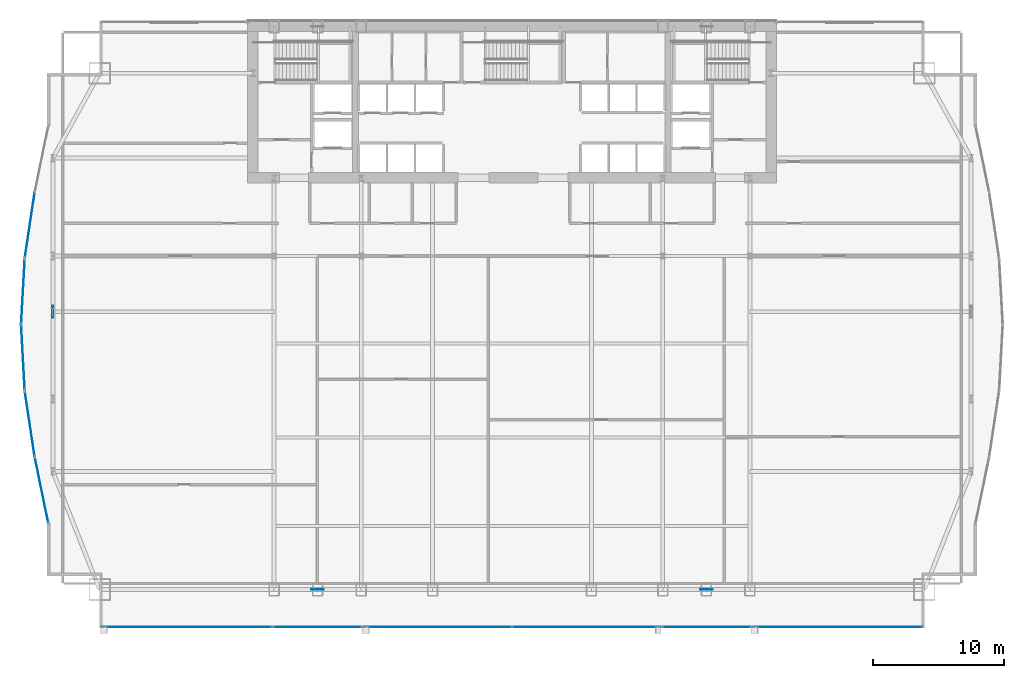
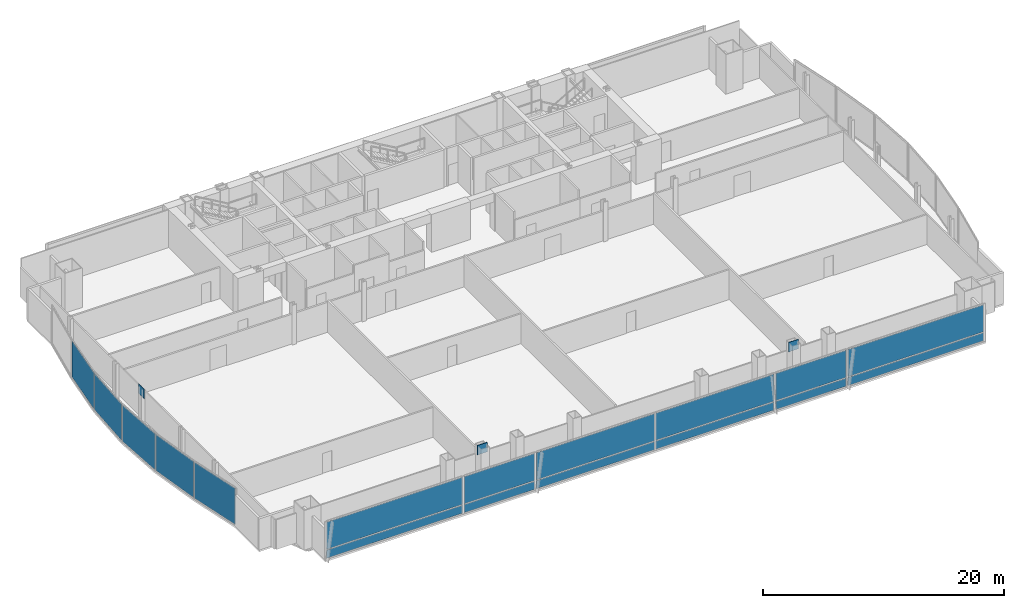
# One storey, part 27 of 36: 20 plates, 10 elements without a shape of their own.
"""IFC4 building model written with IfcOpenShell, lengths in metres."""

from ifc_helpers import new_model, si_unit, direction, frame, origin, origin_2d, place, context, subcontext, project, spatial, rectangle, extrude, material, layer, layer_set, type_object, element, aggregate, save


model = new_model("IFC4")

# Units and contexts
model_context = context("Model", 3, precision=1e-05, world=origin(), true_north=direction((0.0, 1.0)))
body_context = subcontext(model_context, "Body", "Model", "MODEL_VIEW")
ifc_project = project(units=[si_unit("LENGTHUNIT", "METRE"), si_unit("AREAUNIT", "SQUARE_METRE"), si_unit("VOLUMEUNIT", "CUBIC_METRE"), si_unit("PLANEANGLEUNIT", "RADIAN"), si_unit("MASSUNIT", "GRAM", prefix="KILO")], contexts=[model_context])

# Site, building, storey
site_placement = place(None, origin())
site = spatial("IfcSite", under=ifc_project, at=site_placement, CompositionType="ELEMENT")
building_placement = place(site_placement, origin())
building = spatial("IfcBuilding", under=site, at=building_placement, Name="Khoronbel Lancet Exchange", CompositionType="ELEMENT")
storey_placement = place(building_placement, frame((0.0, 0.0, 57.800048828125)))
storey = spatial("IfcBuildingStorey", under=building, at=storey_placement, Name="L13", CompositionType="ELEMENT", Elevation=57.800048828125)

# Curtain wall, plate
ifc_material_1 = material(Name="Low-E Solar Control Insulating Glass", Category="glass")
curtain_wall_type_1 = type_object("IfcCurtainWallType", Name="CW-4", PredefinedType="NOTDEFINED", material=ifc_material_1)
curtain_wall_1_placement = place(storey_placement, origin())
curtain_wall_1 = element("IfcCurtainWall", 1, at=curtain_wall_1_placement, inside=storey, type_object=curtain_wall_type_1, Name="Unitised curtain wall CW-L13-E05", PredefinedType="NOTDEFINED")
ifc_material_2 = material(Name="Bronze-Anodised Aluminium 6063-T6", Category="aluminium")
ifc_layer_1 = layer(ifc_material_2, 0.050048828125, Name="Bronze-Anodised Aluminium 6063-T6")
ifc_layer_set_1 = layer_set([ifc_layer_1], Name="Bronze-Anodised Aluminium 6063-T6")
plate_type_1 = type_object("IfcPlateType", Name="PLT-CSP1", PredefinedType="SHEET", material=ifc_layer_set_1)
plate_1_placement = place(storey_placement, frame((-0.490966796875, 22.83740234375, 0.0849609375), z_axis=(0.0, 0.0, 1.0), x_axis=(-0.149079502463, 0.988825213041, 0.0)))
plate_1 = element("IfcPlate", 2, at=plate_1_placement, type_object=plate_type_1, Name="CW4 panel 1.1", PredefinedType="CURTAIN_PANEL", context=body_context, shape_type="SweptSolid", body=[
    extrude(rectangle(XDim=4.984130859375, YDim=0.0380859375, at=origin_2d()), origin(), (0.0, 0.0, 1.0), 3.64990234375),
])
aggregate(curtain_wall_1, [plate_1])

curtain_wall_2_placement = place(storey_placement, origin())
curtain_wall_2 = element("IfcCurtainWall", 3, at=curtain_wall_2_placement, inside=storey, type_object=curtain_wall_type_1, Name="Unitised curtain wall CW-L13-E06", PredefinedType="NOTDEFINED")
plate_2_placement = place(storey_placement, frame((-1.013671875, 27.912841796875, 0.0849609375), z_axis=(0.0, 0.0, 1.0), x_axis=(-0.055098374212, 0.998480930794, 0.0)))
plate_2 = element("IfcPlate", 4, at=plate_2_placement, type_object=plate_type_1, Name="CW4 panel 1.1", PredefinedType="CURTAIN_PANEL", context=body_context, shape_type="SweptSolid", body=[
    extrude(rectangle(XDim=4.931884765625, YDim=0.0380859375, at=origin_2d()), origin(), (0.0, 0.0, 1.0), 3.64990234375),
])
aggregate(curtain_wall_2, [plate_2])

curtain_wall_3_placement = place(storey_placement, origin())
curtain_wall_3 = element("IfcCurtainWall", 5, at=curtain_wall_3_placement, inside=storey, type_object=curtain_wall_type_1, Name="Unitised curtain wall CW-L13-E07", PredefinedType="NOTDEFINED")
plate_3_placement = place(storey_placement, frame((-1.013671875, 32.987060546875, 0.0849609375), z_axis=(0.0, 0.0, 1.0), x_axis=(0.055098374212, 0.998480930794, 0.0)))
plate_3 = element("IfcPlate", 6, at=plate_3_placement, type_object=plate_type_1, Name="CW4 panel 1.1", PredefinedType="CURTAIN_PANEL", context=body_context, shape_type="SweptSolid", body=[
    extrude(rectangle(XDim=4.931884765625, YDim=0.0380859375, at=origin_2d()), origin(), (0.0, 0.0, 1.0), 3.64990234375),
])
aggregate(curtain_wall_3, [plate_3])

curtain_wall_4_placement = place(storey_placement, origin())
curtain_wall_4 = element("IfcCurtainWall", 7, at=curtain_wall_4_placement, inside=storey, type_object=curtain_wall_type_1, Name="Unitised curtain wall CW-L13-E08", PredefinedType="NOTDEFINED")
plate_4_placement = place(storey_placement, frame((-0.490966796875, 38.0625, 0.0849609375), z_axis=(0.0, 0.0, 1.0), x_axis=(0.149079502463, 0.988825213041, 0.0)))
plate_4 = element("IfcPlate", 8, at=plate_4_placement, type_object=plate_type_1, Name="CW4 panel 1.1", PredefinedType="CURTAIN_PANEL", context=body_context, shape_type="SweptSolid", body=[
    extrude(rectangle(XDim=4.984130859375, YDim=0.0380859375, at=origin_2d()), origin(), (0.0, 0.0, 1.0), 3.64990234375),
])
aggregate(curtain_wall_4, [plate_4])

# Curtain wall, plates
curtain_wall_type_2 = type_object("IfcCurtainWallType", Name="CW-1", PredefinedType="NOTDEFINED", material=ifc_material_1)
curtain_wall_5_placement = place(storey_placement, origin())
curtain_wall_5 = element("IfcCurtainWall", 9, at=curtain_wall_5_placement, inside=storey, type_object=curtain_wall_type_2, Name="Unitised curtain wall CW-L13-SWB", PredefinedType="NOTDEFINED")
plate_5_placement = place(storey_placement, frame((21.550048828125, 7.2900390625, 0.0849609375), z_axis=(0.0, 0.0, 1.0), x_axis=(1.0, 0.0, 0.0)))
plate_5 = element("IfcPlate", 10, at=plate_5_placement, type_object=plate_type_1, Name="CW1 panel 1.1", PredefinedType="CURTAIN_PANEL", context=body_context, shape_type="SweptSolid", body=[
    extrude(rectangle(XDim=6.72998046875, YDim=0.0380859375, at=origin_2d()), origin(), (0.0, 0.0, 1.0), 0.822509765625),
])
plate_6_placement = place(storey_placement, frame((21.550048828125, 7.2900390625, 0.99267578125), z_axis=(0.0, 0.0, 1.0), x_axis=(1.0, 0.0, 0.0)))
plate_6 = element("IfcPlate", 11, at=plate_6_placement, type_object=plate_type_1, Name="CW1 panel 1.2", PredefinedType="CURTAIN_PANEL", context=body_context, shape_type="SweptSolid", body=[
    extrude(rectangle(XDim=6.72998046875, YDim=0.0380859375, at=origin_2d()), origin(), (0.0, 0.0, 1.0), 2.742431640625),
])
aggregate(curtain_wall_5, [plate_5, plate_6])

curtain_wall_6_placement = place(storey_placement, origin())
curtain_wall_6 = element("IfcCurtainWall", 12, at=curtain_wall_6_placement, inside=storey, type_object=curtain_wall_type_2, Name="Unitised curtain wall CW-L13-SEB", PredefinedType="NOTDEFINED")
plate_7_placement = place(storey_placement, frame((51.35009765625, 7.2900390625, 0.0849609375), z_axis=(0.0, 0.0, 1.0), x_axis=(1.0, 0.0, 0.0)))
plate_7 = element("IfcPlate", 13, at=plate_7_placement, type_object=plate_type_1, Name="CW1 panel 1.1", PredefinedType="CURTAIN_PANEL", context=body_context, shape_type="SweptSolid", body=[
    extrude(rectangle(XDim=6.72998046875, YDim=0.0380859375, at=origin_2d()), origin(), (0.0, 0.0, 1.0), 0.822509765625),
])
plate_8_placement = place(storey_placement, frame((51.35009765625, 7.2900390625, 0.99267578125), z_axis=(0.0, 0.0, 1.0), x_axis=(1.0, 0.0, 0.0)))
plate_8 = element("IfcPlate", 14, at=plate_8_placement, type_object=plate_type_1, Name="CW1 panel 1.2", PredefinedType="CURTAIN_PANEL", context=body_context, shape_type="SweptSolid", body=[
    extrude(rectangle(XDim=6.72998046875, YDim=0.0380859375, at=origin_2d()), origin(), (0.0, 0.0, 1.0), 2.742431640625),
])
aggregate(curtain_wall_6, [plate_7, plate_8])

curtain_wall_7_placement = place(storey_placement, origin())
curtain_wall_7 = element("IfcCurtainWall", 15, at=curtain_wall_7_placement, inside=storey, type_object=curtain_wall_type_2, Name="Unitised curtain wall CW-L13-SWV", PredefinedType="NOTDEFINED")
ifc_layer_2 = layer(ifc_material_1, 0.035888671875, Name="Low-E Solar Control Insulating Glass")
ifc_layer_set_2 = layer_set([ifc_layer_2], Name="Low-E Solar Control Insulating Glass")
plate_type_2 = type_object("IfcPlateType", Name="PLT-CWP1", PredefinedType="CURTAIN_PANEL", material=ifc_layer_set_2)
plate_9_placement = place(storey_placement, frame((11.52001953125, 7.2900390625, 0.0849609375), z_axis=(0.0, 0.0, 1.0), x_axis=(1.0, 0.0, 0.0)))
plate_9 = element("IfcPlate", 16, at=plate_9_placement, type_object=plate_type_2, Name="CW1 panel 1.1", PredefinedType="CURTAIN_PANEL", context=body_context, shape_type="SweptSolid", body=[
    extrude(rectangle(XDim=12.989990234375, YDim=0.0380859375, at=origin_2d()), origin(), (0.0, 0.0, 1.0), 0.822509765625),
])
plate_10_placement = place(storey_placement, frame((11.52001953125, 7.2900390625, 0.99267578125), z_axis=(0.0, 0.0, 1.0), x_axis=(1.0, 0.0, 0.0)))
plate_10 = element("IfcPlate", 17, at=plate_10_placement, type_object=plate_type_2, Name="CW1 panel 1.2", PredefinedType="CURTAIN_PANEL", context=body_context, shape_type="SweptSolid", body=[
    extrude(rectangle(XDim=12.989990234375, YDim=0.0380859375, at=origin_2d()), origin(), (0.0, 0.0, 1.0), 2.742431640625),
])
aggregate(curtain_wall_7, [plate_9, plate_10])

curtain_wall_8_placement = place(storey_placement, origin())
curtain_wall_8 = element("IfcCurtainWall", 18, at=curtain_wall_8_placement, inside=storey, type_object=curtain_wall_type_2, Name="Unitised curtain wall CW-L13-SCV", PredefinedType="NOTDEFINED")
plate_11_placement = place(storey_placement, frame((30.746337890625, 7.2900390625, 0.0849609375), z_axis=(0.0, 0.0, 1.0), x_axis=(1.0, 0.0, 0.0)))
plate_11 = element("IfcPlate", 19, at=plate_11_placement, type_object=plate_type_2, Name="CW1 panel 1.1", PredefinedType="CURTAIN_PANEL", context=body_context, shape_type="SweptSolid", body=[
    extrude(rectangle(XDim=11.322509765625, YDim=0.0380859375, at=origin_2d()), origin(), (0.0, 0.0, 1.0), 0.822509765625),
])
plate_12_placement = place(storey_placement, frame((30.746337890625, 7.2900390625, 0.99267578125), z_axis=(0.0, 0.0, 1.0), x_axis=(1.0, 0.0, 0.0)))
plate_12 = element("IfcPlate", 20, at=plate_12_placement, type_object=plate_type_2, Name="CW1 panel 1.2", PredefinedType="CURTAIN_PANEL", context=body_context, shape_type="SweptSolid", body=[
    extrude(rectangle(XDim=11.322509765625, YDim=0.0380859375, at=origin_2d()), origin(), (0.0, 0.0, 1.0), 2.742431640625),
])
plate_13_placement = place(storey_placement, frame((42.15380859375, 7.2900390625, 0.0849609375), z_axis=(0.0, 0.0, 1.0), x_axis=(1.0, 0.0, 0.0)))
plate_13 = element("IfcPlate", 21, at=plate_13_placement, type_object=plate_type_2, Name="CW1 panel 2.1", PredefinedType="CURTAIN_PANEL", context=body_context, shape_type="SweptSolid", body=[
    extrude(rectangle(XDim=11.322509765625, YDim=0.0380859375, at=origin_2d()), origin(), (0.0, 0.0, 1.0), 0.822509765625),
])
plate_14_placement = place(storey_placement, frame((42.15380859375, 7.2900390625, 0.99267578125), z_axis=(0.0, 0.0, 1.0), x_axis=(1.0, 0.0, 0.0)))
plate_14 = element("IfcPlate", 22, at=plate_14_placement, type_object=plate_type_2, Name="CW1 panel 2.2", PredefinedType="CURTAIN_PANEL", context=body_context, shape_type="SweptSolid", body=[
    extrude(rectangle(XDim=11.322509765625, YDim=0.0380859375, at=origin_2d()), origin(), (0.0, 0.0, 1.0), 2.742431640625),
])
aggregate(curtain_wall_8, [plate_11, plate_12, plate_13, plate_14])

curtain_wall_9_placement = place(storey_placement, origin())
curtain_wall_9 = element("IfcCurtainWall", 23, at=curtain_wall_9_placement, inside=storey, type_object=curtain_wall_type_2, Name="Unitised curtain wall CW-L13-SEV", PredefinedType="NOTDEFINED")
plate_15_placement = place(storey_placement, frame((61.3798828125, 7.2900390625, 0.0849609375), z_axis=(0.0, 0.0, 1.0), x_axis=(1.0, 0.0, 0.0)))
plate_15 = element("IfcPlate", 24, at=plate_15_placement, type_object=plate_type_2, Name="CW1 panel 1.1", PredefinedType="CURTAIN_PANEL", context=body_context, shape_type="SweptSolid", body=[
    extrude(rectangle(XDim=12.989990234375, YDim=0.0380859375, at=origin_2d()), origin(), (0.0, 0.0, 1.0), 0.822509765625),
])
plate_16_placement = place(storey_placement, frame((61.3798828125, 7.2900390625, 0.99267578125), z_axis=(0.0, 0.0, 1.0), x_axis=(1.0, 0.0, 0.0)))
plate_16 = element("IfcPlate", 25, at=plate_16_placement, type_object=plate_type_2, Name="CW1 panel 1.2", PredefinedType="CURTAIN_PANEL", context=body_context, shape_type="SweptSolid", body=[
    extrude(rectangle(XDim=12.989990234375, YDim=0.0380859375, at=origin_2d()), origin(), (0.0, 0.0, 1.0), 2.742431640625),
])
aggregate(curtain_wall_9, [plate_15, plate_16])

# Curtain wall, plate
curtain_wall_10_placement = place(storey_placement, origin())
curtain_wall_10 = element("IfcCurtainWall", 26, at=curtain_wall_10_placement, inside=storey, type_object=curtain_wall_type_1, Name="Unitised curtain wall CW-L13-E04", PredefinedType="NOTDEFINED")
ifc_material_3 = material(Name="Ceramic-Fritted Laminated Insulating Glass", Category="glass")
ifc_layer_3 = layer(ifc_material_3, 0.0419921875, Name="Ceramic-Fritted Laminated Insulating Glass")
ifc_layer_set_3 = layer_set([ifc_layer_3], Name="Ceramic-Fritted Laminated Insulating Glass")
plate_type_3 = type_object("IfcPlateType", Name="PLT-CWP2", PredefinedType="CURTAIN_PANEL", material=ifc_layer_set_3)
plate_17_placement = place(storey_placement, frame((0.416015625, 17.754150390625, 0.0849609375), z_axis=(0.0, 0.0, 1.0), x_axis=(-0.201704501049, 0.979446422351, 0.0)))
plate_17 = element("IfcPlate", 27, at=plate_17_placement, type_object=plate_type_3, Name="CW4 panel 1.1", PredefinedType="CURTAIN_PANEL", context=body_context, shape_type="SweptSolid", body=[
    extrude(rectangle(XDim=5.046630859375, YDim=0.0380859375, at=origin_2d()), origin(), (0.0, 0.0, 1.0), 3.64990234375),
])
aggregate(curtain_wall_10, [plate_17])

# Plates
ifc_material_4 = material(Name="Steel S460", Category="steel")
ifc_layer_4 = layer(ifc_material_4, 0.06005859375, Name="Steel S460")
ifc_layer_set_4 = layer_set([ifc_layer_4], Name="Steel S460")
plate_type_4 = type_object("IfcPlateType", Name="PLT-ND1", PredefinedType="USERDEFINED", material=ifc_layer_set_4)
for number, where, z_axis, x_axis, name in (
    (28, (21.5625, 10.14990234375, 3.1748046875), (0.0, 0.0, 1.0), (1.0, 0.0, 0.0), "ND1 perimeter brace node gusset T03-S-W"),
    (29, (51.33740234375, 10.14990234375, 3.1748046875), (0.0, 0.0, 1.0), (1.0, 0.0, 0.0), "ND1 perimeter brace node gusset T03-S-E"),
    (30, (1.27001953125, 31.425048828125, 3.1748046875), (0.0, 0.0, 1.0), (0.0, 1.0, 0.0), "ND1 perimeter brace node gusset T03-W-P"),
):
    element("IfcPlate", number, at=place(storey_placement, frame(where, z_axis=z_axis, x_axis=x_axis)), inside=storey, type_object=plate_type_4, Name=name, ObjectType="GUSSET_PLATE", PredefinedType="USERDEFINED", context=body_context, shape_type="SweptSolid", body=[
        extrude(rectangle(XDim=0.949951171875, YDim=0.06005859375, at=origin_2d()), origin(), (0.0, 0.0, 1.0), 0.949951171875),
    ])

save(model, "model.ifc")
